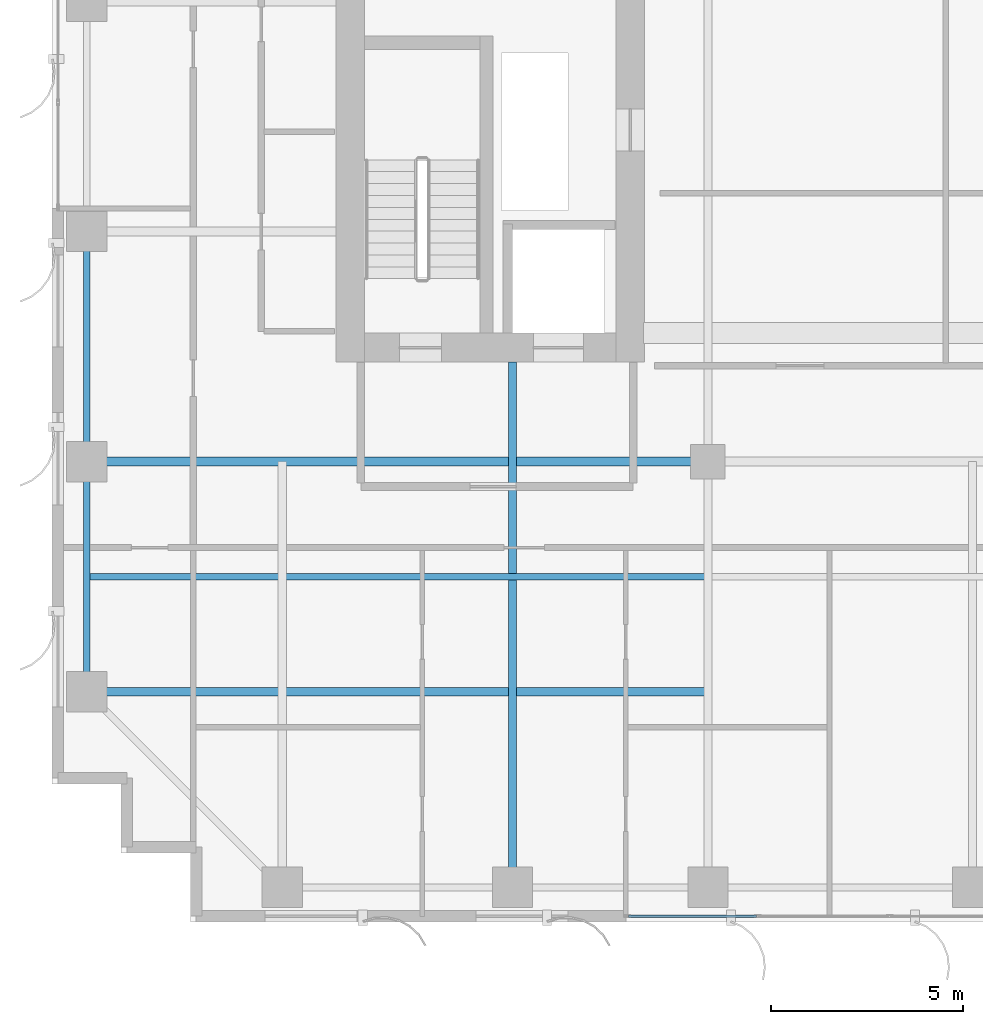
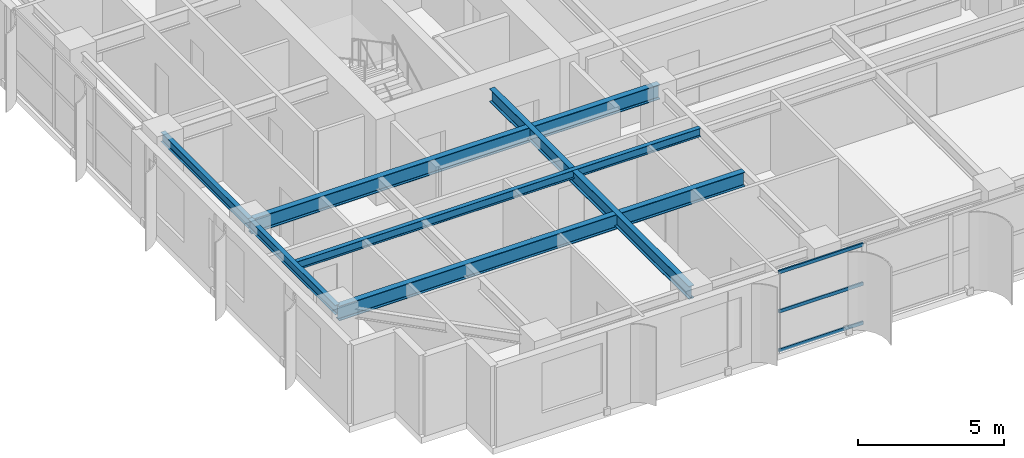
# One storey, part 3 of 26: 6 beams, 3 members, 1 element without a shape of its own.
"""IFC4 building model written with IfcOpenShell, lengths in metres."""

from ifc_helpers import new_model, si_unit, direction, frame, origin, origin_2d, place, context, subcontext, project, spatial, hollow_rectangle, i_section, extrude, source, transform, mapped, material, layer, layer_set, material_profile, profile_set, type_object, element, aggregate, save


model = new_model("IFC4")

# Units and contexts
model_context = context("Model", 3, precision=1e-05, world=origin(), true_north=direction((0.0, 1.0)))
body_context = subcontext(model_context, "Body", "Model", "MODEL_VIEW")
ifc_project = project(units=[si_unit("LENGTHUNIT", "METRE"), si_unit("AREAUNIT", "SQUARE_METRE"), si_unit("VOLUMEUNIT", "CUBIC_METRE"), si_unit("PLANEANGLEUNIT", "RADIAN"), si_unit("MASSUNIT", "GRAM", prefix="KILO")], contexts=[model_context])

# Site, building, storey
site_placement = place(None, origin())
site = spatial("IfcSite", under=ifc_project, at=site_placement, CompositionType="ELEMENT")
building_placement = place(site_placement, origin())
building = spatial("IfcBuilding", under=site, at=building_placement, Name="Khoralis Quay Care Tower", CompositionType="ELEMENT")
storey_placement = place(building_placement, frame((0.0, 0.0, 126.89990234375)))
storey = spatial("IfcBuildingStorey", under=building, at=storey_placement, Name="L33", CompositionType="ELEMENT", Elevation=126.89990234375)

# Beams
ifc_material_1 = material(Name="Steel S355", Category="steel")
ifc_material_profile_1 = material_profile(ifc_material_1, i_section(OverallWidth=0.179931640625, OverallDepth=0.39990234375, WebThickness=0.008544921875, FlangeThickness=0.013427734375, FilletRadius=0.02099609375, at=origin_2d()), Name="Steel S355")
ifc_profile_set_1 = profile_set([ifc_material_profile_1], Name="Steel S355")
beam_type_1 = type_object("IfcBeamType", Name="BM-IPE400", PredefinedType="SPANDREL", material=ifc_profile_set_1)
shared_shape_1 = source(origin(), body_context, "Body", "SweptSolid", [
    extrude(i_section(OverallWidth=0.179931640625, OverallDepth=0.39990234375, WebThickness=0.008544921875, FlangeThickness=0.013427734375, FilletRadius=0.02099609375, at=origin_2d()), origin(), (0.0, 0.0, 1.0), 6.0),
])
for number, where, z_axis, x_axis, name in (
    (1, (0.89990234375, 6.0, 3.14013671875), (0.0, 1.0, 0.0), (-1.0, 0.0, 0.0), "BM-TSP-L33-11"),
    (2, (0.89990234375, 12.0, 3.14013671875), (0.0, 1.0, 0.0), (-1.0, 0.0, 0.0), "BM-TSP-L33-12"),
):
    element("IfcBeam", number, at=place(storey_placement, frame(where, z_axis=z_axis, x_axis=x_axis)), inside=storey, type_object=beam_type_1, Name=name, PredefinedType="SPANDREL", context=body_context, shape_type="MappedRepresentation", body=[
        mapped(shared_shape_1, transform((0.0, 0.0, 0.0), scale=1.0)),
    ])
ifc_material_profile_2 = material_profile(ifc_material_1, i_section(OverallWidth=0.22998046875, OverallDepth=0.616943359375, WebThickness=0.01318359375, FlangeThickness=0.022216796875, FilletRadius=0.01806640625, at=origin_2d()), Name="Steel S355")
ifc_profile_set_2 = profile_set([ifc_material_profile_2], Name="Steel S355")
beam_type_2 = type_object("IfcBeamType", Name="BM-W610X140", PredefinedType="BEAM", material=ifc_profile_set_2)
shared_shape_2 = source(origin(), body_context, "Body", "SweptSolid", [
    extrude(i_section(OverallWidth=0.22998046875, OverallDepth=0.616943359375, WebThickness=0.01318359375, FlangeThickness=0.022216796875, FilletRadius=0.01806640625, at=origin_2d()), origin(), (0.0, 0.0, 1.0), 16.106201171875),
])
beam_1_placement = place(storey_placement, frame((0.89990234375, 6.0, 3.031494140625), z_axis=(1.0, 0.0, 0.0), x_axis=(0.0, 1.0, 0.0)))
element("IfcBeam", 3, at=beam_1_placement, inside=storey, type_object=beam_type_2, Name="BM-TGXW-L33-60", PredefinedType="BEAM", context=body_context, shape_type="MappedRepresentation", body=[
    mapped(shared_shape_2, transform((0.0, 0.0, 0.0), scale=1.0)),
])
shared_shape_3 = source(origin(), body_context, "Body", "SweptSolid", [
    extrude(i_section(OverallWidth=0.22998046875, OverallDepth=0.616943359375, WebThickness=0.01318359375, FlangeThickness=0.022216796875, FilletRadius=0.01806640625, at=origin_2d()), origin(), (0.0, 0.0, 1.0), 16.2001953125),
])
beam_2_placement = place(storey_placement, frame((0.89990234375, 12.0, 3.031494140625), z_axis=(1.0, 0.0, 0.0), x_axis=(0.0, 1.0, 0.0)))
element("IfcBeam", 4, at=beam_2_placement, inside=storey, type_object=beam_type_2, Name="BM-TGXW-L33-120", PredefinedType="BEAM", context=body_context, shape_type="MappedRepresentation", body=[
    mapped(shared_shape_3, transform((0.0, 0.0, 0.0), scale=1.0)),
])
ifc_material_profile_3 = material_profile(ifc_material_1, i_section(OverallWidth=0.2119140625, OverallDepth=0.5439453125, WebThickness=0.01318359375, FlangeThickness=0.021240234375, FilletRadius=0.01611328125, at=origin_2d()), Name="Steel S355")
ifc_profile_set_3 = profile_set([ifc_material_profile_3], Name="Steel S355")
beam_type_3 = type_object("IfcBeamType", Name="BM-W530X123", PredefinedType="BEAM", material=ifc_profile_set_3)
shared_shape_4 = source(origin(), body_context, "Body", "SweptSolid", [
    extrude(i_section(OverallWidth=0.2119140625, OverallDepth=0.5439453125, WebThickness=0.01318359375, FlangeThickness=0.021240234375, FilletRadius=0.01611328125, at=origin_2d()), origin(), (0.0, 0.0, 1.0), 13.7021484375),
])
beam_3_placement = place(storey_placement, frame((12.0, 0.89990234375, 3.068115234375), z_axis=(0.0, 1.0, 0.0), x_axis=(-1.0, 0.0, 0.0)))
element("IfcBeam", 5, at=beam_3_placement, inside=storey, type_object=beam_type_3, Name="BM-TGYS-L33-120", PredefinedType="BEAM", context=body_context, shape_type="MappedRepresentation", body=[
    mapped(shared_shape_4, transform((0.0, 0.0, 0.0), scale=1.0)),
])
ifc_material_profile_4 = material_profile(ifc_material_1, i_section(OverallWidth=0.1708984375, OverallDepth=0.35498046875, WebThickness=0.007080078125, FlangeThickness=0.01171875, FilletRadius=0.012939453125, at=origin_2d()), Name="Steel S355")
ifc_profile_set_4 = profile_set([ifc_material_profile_4], Name="Steel S355")
beam_type_4 = type_object("IfcBeamType", Name="BM-W360X51", PredefinedType="JOIST", material=ifc_profile_set_4)
shared_shape_5 = source(origin(), body_context, "Body", "SweptSolid", [
    extrude(i_section(OverallWidth=0.1708984375, OverallDepth=0.35498046875, WebThickness=0.007080078125, FlangeThickness=0.01171875, FilletRadius=0.012939453125, at=origin_2d()), origin(), (0.0, 0.0, 1.0), 16.030029296875),
])
beam_4_placement = place(storey_placement, frame((0.97607421875, 9.0, 3.16259765625), z_axis=(1.0, 0.0, 0.0), x_axis=(0.0, 1.0, 0.0)))
element("IfcBeam", 6, at=beam_4_placement, inside=storey, type_object=beam_type_4, Name="BM-TJS-L33-25", PredefinedType="JOIST", context=body_context, shape_type="MappedRepresentation", body=[
    mapped(shared_shape_5, transform((0.0, 0.0, 0.0), scale=1.0)),
])

# Curtain wall, members
ifc_material_2 = material(Name="Pale anodised aluminium", Category="aluminium")
ifc_layer = layer(ifc_material_2, 0.169921875)
ifc_layer_set = layer_set([ifc_layer], Name="Pale anodised aluminium")
curtain_wall_type = type_object("IfcCurtainWallType", Name="CW-SYS-Z2", PredefinedType="NOTDEFINED", material=ifc_layer_set)
curtain_wall_placement = place(storey_placement, origin())
curtain_wall = element("IfcCurtainWall", 7, at=curtain_wall_placement, inside=storey, type_object=curtain_wall_type, Name="L33 Unitised Curtain Wall CW-L33-P1-E0", PredefinedType="NOTDEFINED")
ifc_material_profile_5 = material_profile(ifc_material_2, hollow_rectangle(XDim=0.06005859375, YDim=0.139892578125, WallThickness=0.00390625, at=origin_2d()), Name="Pale anodised aluminium")
ifc_profile_set_5 = profile_set([ifc_material_profile_5], Name="Pale anodised aluminium")
member_type = type_object("IfcMemberType", Name="CW-TRN-140", PredefinedType="USERDEFINED", material=ifc_profile_set_5)
shared_shape_6 = source(origin(), body_context, "Body", "SweptSolid", [
    extrude(hollow_rectangle(XDim=0.06005859375, YDim=0.139892578125, WallThickness=0.00390625, at=origin_2d()), origin(), (0.0, 0.0, 1.0), 3.347900390625),
])
member_1_placement = place(storey_placement, frame((15.02099609375, 0.14990234375, 0.030029296875), z_axis=(1.0, 0.0, 0.0), x_axis=(0.0, 1.0, 0.0)))
member_1 = element("IfcMember", 8, at=member_1_placement, type_object=member_type, Name="CW2 transom 1.1", ObjectType="TRANSOM", PredefinedType="USERDEFINED", context=body_context, shape_type="MappedRepresentation", body=[
    mapped(shared_shape_6, transform((0.0, 0.0, 0.0), scale=1.0)),
])
member_2_placement = place(storey_placement, frame((15.02099609375, 0.14990234375, 1.670166015625), z_axis=(1.0, 0.0, 0.0), x_axis=(0.0, 1.0, 0.0)))
member_2 = element("IfcMember", 9, at=member_2_placement, type_object=member_type, Name="CW2 transom 1.2", ObjectType="TRANSOM", PredefinedType="USERDEFINED", context=body_context, shape_type="MappedRepresentation", body=[
    mapped(shared_shape_6, transform((0.0, 0.0, 0.0), scale=1.0)),
])
member_3_placement = place(storey_placement, frame((15.02099609375, 0.14990234375, 3.31005859375), z_axis=(1.0, 0.0, 0.0), x_axis=(0.0, 1.0, 0.0)))
member_3 = element("IfcMember", 10, at=member_3_placement, type_object=member_type, Name="CW2 transom 1.3", ObjectType="TRANSOM", PredefinedType="USERDEFINED", context=body_context, shape_type="MappedRepresentation", body=[
    mapped(shared_shape_6, transform((0.0, 0.0, 0.0), scale=1.0)),
])
aggregate(curtain_wall, [member_1, member_2, member_3])

save(model, "model.ifc")
